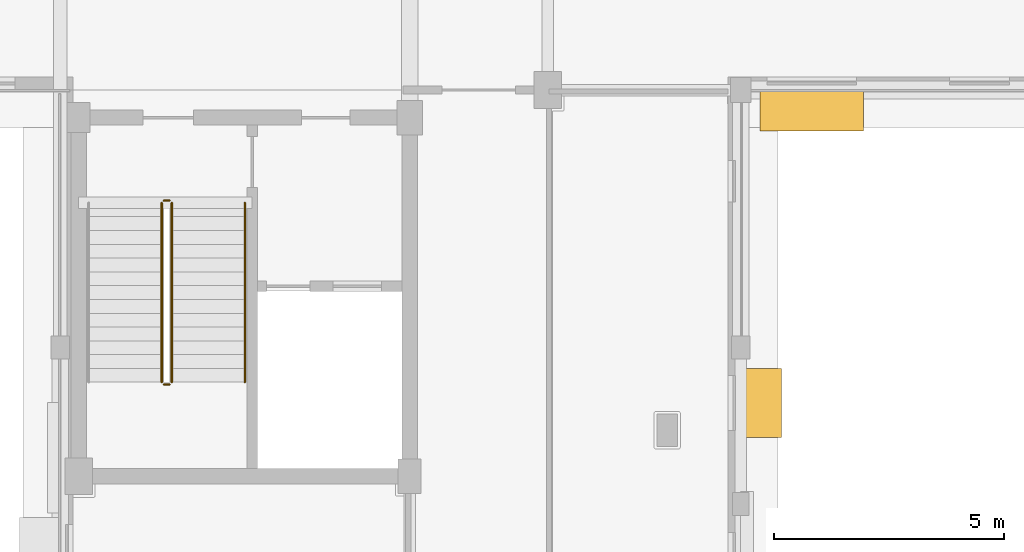
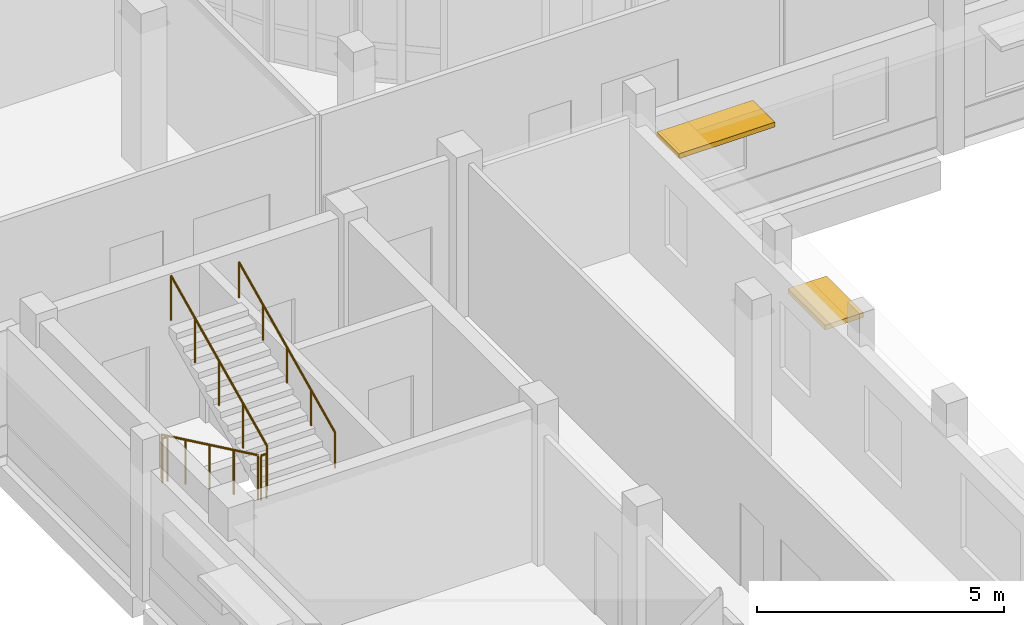
# One storey, part 94 of 105: 5 railings, 2 shading devices.
"""IFC4 building model written with IfcOpenShell, lengths in metres."""

from ifc_helpers import new_model, si_unit, direction, frame, origin, origin_2d, place, context, subcontext, project, spatial, rectangle, circle, extrude, material, layer, layer_set, type_object, element, save


model = new_model("IFC4")

# Units and contexts
model_context = context("Model", 3, precision=1e-05, world=origin(), true_north=direction((0.0, 1.0)))
body_context = subcontext(model_context, "Body", "Model", "MODEL_VIEW")
ifc_project = project(units=[si_unit("LENGTHUNIT", "METRE"), si_unit("AREAUNIT", "SQUARE_METRE"), si_unit("VOLUMEUNIT", "CUBIC_METRE"), si_unit("PLANEANGLEUNIT", "RADIAN"), si_unit("MASSUNIT", "GRAM", prefix="KILO")], contexts=[model_context])

# Site, building, storey
site_placement = place(None, origin())
site = spatial("IfcSite", under=ifc_project, at=site_placement, CompositionType="ELEMENT")
building_placement = place(site_placement, origin())
building = spatial("IfcBuilding", under=site, at=building_placement, Name="Kelanivale Promenade Academy", CompositionType="ELEMENT")
storey_placement = place(building_placement, frame((0.0, 0.0, 4.199951171875)))
storey = spatial("IfcBuildingStorey", under=building, at=storey_placement, Name="L01", CompositionType="ELEMENT", Elevation=4.199951171875)

# Railings
ifc_material_1 = material(Name="Brushed stainless steel grade 316", Category="steel")
railing_type_1 = type_object("IfcRailingType", Name="GR-01 Stair Guard 1100mm", PredefinedType="BALUSTRADE", material=ifc_material_1)
railing_1_placement = place(storey_placement, frame((81.405029296875, 39.544921875, 0.142822265625)))
element("IfcRailing", 1, at=railing_1_placement, inside=storey, type_object=railing_type_1, Name="L01 ST-01 stair guard 1", PredefinedType="BALUSTRADE", context=body_context, shape_type="SweptSolid", body=[
    extrude(circle(Radius=0.02392578125, at=origin_2d()), frame((0.0, 0.0, 1.09619140625), z_axis=(0.0, -0.902853205547, 0.429948937937), x_axis=(1.0, 0.0, 0.0)), (0.0, 0.0, 1.0), 4.319580078125),
    extrude(circle(Radius=0.02099609375, at=origin_2d()), origin(), (0.0, 0.0, 1.0), 1.072021484375),
    extrude(circle(Radius=0.02099609375, at=origin_2d()), frame((0.0, -0.97509765625, 0.46435546875)), (0.0, 0.0, 1.0), 1.072021484375),
    extrude(circle(Radius=0.02099609375, at=origin_2d()), frame((0.0, -1.949951171875, 0.9287109375)), (0.0, 0.0, 1.0), 1.072021484375),
    extrude(circle(Radius=0.02099609375, at=origin_2d()), frame((0.0, -2.9248046875, 1.392822265625)), (0.0, 0.0, 1.0), 1.072021484375),
    extrude(circle(Radius=0.02099609375, at=origin_2d()), frame((0.0, -3.89990234375, 1.857177734375)), (0.0, 0.0, 1.0), 1.072021484375),
])
railing_2_placement = place(storey_placement, frame((81.455078125, 35.594970703125, 2.0)))
element("IfcRailing", 2, at=railing_2_placement, inside=storey, type_object=railing_type_1, Name="L01 ST-01 stair guard 2", PredefinedType="BALUSTRADE", context=body_context, shape_type="SweptSolid", body=[
    extrude(circle(Radius=0.02392578125, at=origin_2d()), frame((0.0, 0.0, 1.09619140625), z_axis=(1.0, 0.0, 0.0), x_axis=(0.0, 1.0, 0.0)), (0.0, 0.0, 1.0), 0.119873046875),
    extrude(circle(Radius=0.02099609375, at=origin_2d()), origin(), (0.0, 0.0, 1.0), 1.072021484375),
    extrude(circle(Radius=0.02099609375, at=origin_2d()), frame((0.119873046875, 0.0, 0.0)), (0.0, 0.0, 1.0), 1.072021484375),
])
railing_3_placement = place(storey_placement, frame((81.625, 35.64501953125, 2.142822265625)))
element("IfcRailing", 3, at=railing_3_placement, inside=storey, type_object=railing_type_1, Name="L01 ST-01 stair guard 3", PredefinedType="BALUSTRADE", context=body_context, shape_type="SweptSolid", body=[
    extrude(circle(Radius=0.02392578125, at=origin_2d()), frame((0.0, 0.0, 1.09619140625), z_axis=(0.0, 0.902853205547, 0.429948937937), x_axis=(-1.0, 0.0, 0.0)), (0.0, 0.0, 1.0), 4.319580078125),
    extrude(circle(Radius=0.02099609375, at=origin_2d()), origin(), (0.0, 0.0, 1.0), 1.072021484375),
    extrude(circle(Radius=0.02099609375, at=origin_2d()), frame((0.0, 0.97509765625, 0.46435546875)), (0.0, 0.0, 1.0), 1.072021484375),
    extrude(circle(Radius=0.02099609375, at=origin_2d()), frame((0.0, 1.949951171875, 0.9287109375)), (0.0, 0.0, 1.0), 1.072021484375),
    extrude(circle(Radius=0.02099609375, at=origin_2d()), frame((0.0, 2.9248046875, 1.392822265625)), (0.0, 0.0, 1.0), 1.072021484375),
    extrude(circle(Radius=0.02099609375, at=origin_2d()), frame((0.0, 3.89990234375, 1.857177734375)), (0.0, 0.0, 1.0), 1.072021484375),
])
railing_4_placement = place(storey_placement, frame((81.455078125, 39.594970703125, 0.0)))
element("IfcRailing", 4, at=railing_4_placement, inside=storey, type_object=railing_type_1, Name="L01 ST-01 stair guard 4", PredefinedType="BALUSTRADE", context=body_context, shape_type="SweptSolid", body=[
    extrude(circle(Radius=0.02392578125, at=origin_2d()), frame((0.0, 0.0, 1.09619140625), z_axis=(1.0, 0.0, 0.0), x_axis=(0.0, 1.0, 0.0)), (0.0, 0.0, 1.0), 0.119873046875),
    extrude(circle(Radius=0.02099609375, at=origin_2d()), origin(), (0.0, 0.0, 1.0), 1.072021484375),
    extrude(circle(Radius=0.02099609375, at=origin_2d()), frame((0.119873046875, 0.0, 0.0)), (0.0, 0.0, 1.0), 1.072021484375),
])
railing_type_2 = type_object("IfcRailingType", Name="HR-01 Pitch Handrail 900mm", PredefinedType="HANDRAIL", material=ifc_material_1)
railing_5_placement = place(storey_placement, frame((83.215087890625, 35.64501953125, 2.142822265625)))
element("IfcRailing", 5, at=railing_5_placement, inside=storey, type_object=railing_type_2, Name="L01 ST-01 stair handrail 2", PredefinedType="HANDRAIL", context=body_context, shape_type="SweptSolid", body=[
    extrude(circle(Radius=0.02392578125, at=origin_2d()), frame((0.0, 0.0, 0.8759765625), z_axis=(0.0, 0.902853205547, 0.429948937937), x_axis=(-1.0, 0.0, 0.0)), (0.0, 0.0, 1.0), 4.319580078125),
    extrude(circle(Radius=0.02099609375, at=origin_2d()), origin(), (0.0, 0.0, 1.0), 0.851806640625),
    extrude(circle(Radius=0.02099609375, at=origin_2d()), frame((0.0, 0.97509765625, 0.46435546875)), (0.0, 0.0, 1.0), 0.851806640625),
    extrude(circle(Radius=0.02099609375, at=origin_2d()), frame((0.0, 1.949951171875, 0.9287109375)), (0.0, 0.0, 1.0), 0.851806640625),
    extrude(circle(Radius=0.02099609375, at=origin_2d()), frame((0.0, 2.9248046875, 1.392822265625)), (0.0, 0.0, 1.0), 0.851806640625),
    extrude(circle(Radius=0.02099609375, at=origin_2d()), frame((0.0, 3.89990234375, 1.857177734375)), (0.0, 0.0, 1.0), 0.851806640625),
])

# Shading devices
ifc_material_2 = material(Name="Precast concrete C40/50", Category="concrete")
ifc_layer = layer(ifc_material_2, 0.1201171875)
ifc_layer_set = layer_set([ifc_layer], Name="Precast concrete C40/50")
shading_device_type = type_object("IfcShadingDeviceType", Name="SHD-01 Art Deco Sunshade Eyebrow 900mm", PredefinedType="USERDEFINED", material=ifc_layer_set)
shading_device_1_placement = place(storey_placement, frame((94.43994140625, 35.194091796875, 2.510009765625), z_axis=(0.0, 0.0, 1.0), x_axis=(0.0, 1.0, 0.0)))
element("IfcShadingDevice", 6, at=shading_device_1_placement, inside=storey, type_object=shading_device_type, Name="Art Deco 900 mm precast chajja window sunshade", ObjectType="SUNSHADE", PredefinedType="USERDEFINED", context=body_context, shape_type="SweptSolid", body=[
    extrude(rectangle(XDim=1.5, YDim=0.89990234375, at=origin_2d()), origin(), (0.0, 0.0, 1.0), 0.1201171875),
])
shading_device_2_placement = place(storey_placement, frame((95.54296875, 41.56005859375, 2.56005859375), z_axis=(0.0, 0.0, 1.0), x_axis=(1.0, 0.0, 0.0)))
element("IfcShadingDevice", 7, at=shading_device_2_placement, inside=storey, type_object=shading_device_type, Name="Art Deco 900 mm precast chajja window sunshade", ObjectType="SUNSHADE", PredefinedType="USERDEFINED", context=body_context, shape_type="SweptSolid", body=[
    extrude(rectangle(XDim=2.25, YDim=0.89990234375, at=origin_2d()), origin(), (0.0, 0.0, 1.0), 0.1201171875),
])

save(model, "model.ifc")
